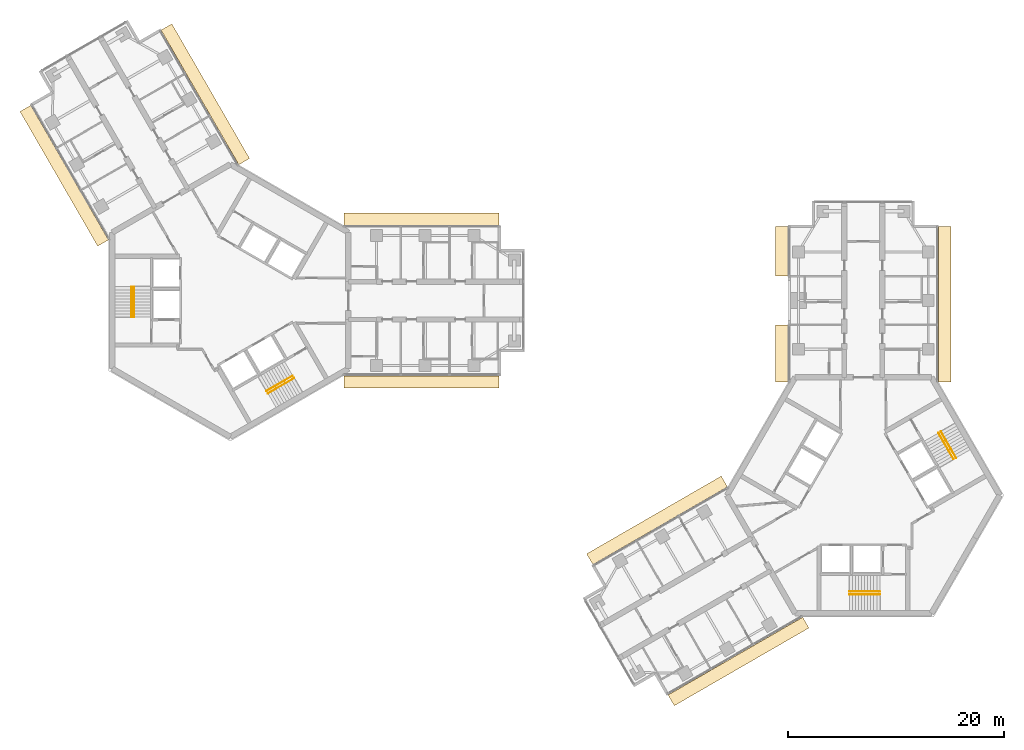
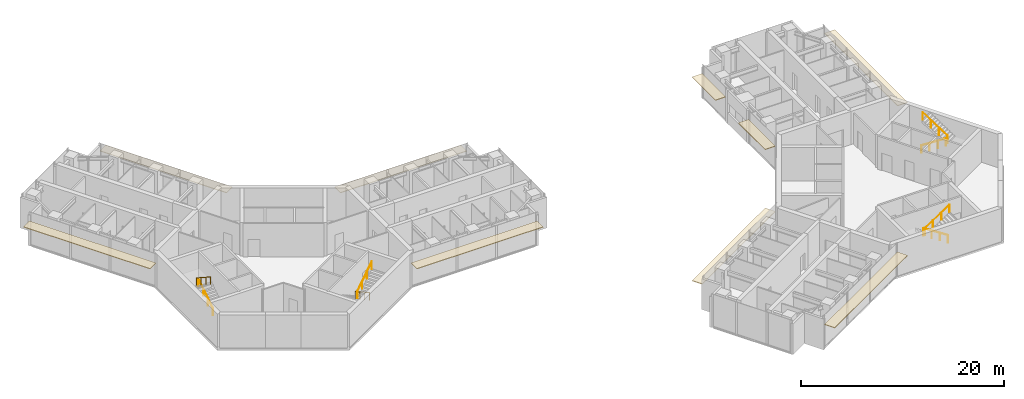
# One storey, part 17 of 17: 9 coverings, 8 railings.
"""IFC4 building model written with IfcOpenShell, lengths in metres."""

from ifc_helpers import new_model, si_unit, direction, frame, origin, origin_2d, place, context, subcontext, project, spatial, rectangle, circle, extrude, material, layer, layer_set, type_object, element, save


model = new_model("IFC4")

# Units and contexts
model_context = context("Model", 3, precision=1e-05, world=origin(), true_north=direction((0.0, 1.0)))
body_context = subcontext(model_context, "Body", "Model", "MODEL_VIEW")
ifc_project = project(units=[si_unit("LENGTHUNIT", "METRE"), si_unit("AREAUNIT", "SQUARE_METRE"), si_unit("VOLUMEUNIT", "CUBIC_METRE"), si_unit("PLANEANGLEUNIT", "RADIAN"), si_unit("MASSUNIT", "GRAM", prefix="KILO")], contexts=[model_context])

# Site, building, storey
site_placement = place(None, origin())
site = spatial("IfcSite", under=ifc_project, at=site_placement, CompositionType="ELEMENT")
building_placement = place(site_placement, origin())
building = spatial("IfcBuilding", under=site, at=building_placement, Name="Upepo Twin Towers", CompositionType="ELEMENT")
storey_placement = place(building_placement, frame((0.0, 0.0, 234.5)))
storey = spatial("IfcBuildingStorey", under=building, at=storey_placement, Name="L57", CompositionType="ELEMENT", Elevation=234.5)

# Coverings
ifc_material_1 = material(Name="Anodised aluminium, pale silver", Category="aluminium")
ifc_layer = layer(ifc_material_1, 0.080078125)
ifc_layer_set = layer_set([ifc_layer], Name="Brise-soleil blade 1150 pale aluminium")
covering_type = type_object("IfcCoveringType", Name="Brise-soleil blade 1150 pale aluminium", PredefinedType="USERDEFINED", material=ifc_layer_set)
for number, where, z_axis, x_axis, name in (
    (1, (17.66845703125, 7.527587890625, 2.909912109375), (0.0, 0.0, 1.0), (1.0, 0.0, 0.0), "T1 L57 wing A brise-soleil L"),
    (2, (17.66845703125, -7.527587890625, 2.909912109375), (0.0, 0.0, 1.0), (1.0, 0.0, 0.0), "T1 L57 wing A brise-soleil R"),
    (3, (-15.353271484375, 11.53759765625, 2.909912109375), (0.0, 0.0, 1.0), (-0.50000003023, 0.866025386331, 0.0), "T1 L57 wing B brise-soleil L"),
    (4, (-2.315185546875, 19.065185546875, 2.909912109375), (0.0, 0.0, 1.0), (-0.50000003023, 0.866025386331, 0.0), "T1 L57 wing B brise-soleil R"),
):
    element("IfcCovering", number, at=place(storey_placement, frame(where, z_axis=z_axis, x_axis=x_axis)), inside=storey, type_object=covering_type, Name=name, ObjectType="SUNSHADE", PredefinedType="USERDEFINED", context=body_context, shape_type="SweptSolid", body=[
        extrude(rectangle(XDim=14.36279296875, YDim=1.14990234375, at=origin_2d()), origin(), (0.0, 0.0, 1.0), 0.080078125),
    ])
covering_1_placement = place(storey_placement, frame((50.97509765625, -4.88134765625, 2.909912109375), z_axis=(0.0, 0.0, 1.0), x_axis=(0.0, 1.0, 0.0)))
element("IfcCovering", 5, at=covering_1_placement, inside=storey, type_object=covering_type, Name="T2 L57 wing A brise-soleil L", ObjectType="SUNSHADE", PredefinedType="USERDEFINED", context=body_context, shape_type="SweptSolid", body=[
    extrude(rectangle(XDim=5.262939453125, YDim=1.14990234375, at=origin_2d()), origin(), (0.0, 0.0, 1.0), 0.080078125),
])
covering_2_placement = place(storey_placement, frame((50.97509765625, 4.550048828125, 2.909912109375), z_axis=(0.0, 0.0, 1.0), x_axis=(0.0, 1.0, 0.0)))
element("IfcCovering", 6, at=covering_2_placement, inside=storey, type_object=covering_type, Name="T2 L57 wing A brise-soleil L 2", ObjectType="SUNSHADE", PredefinedType="USERDEFINED", context=body_context, shape_type="SweptSolid", body=[
    extrude(rectangle(XDim=4.60009765625, YDim=1.14990234375, at=origin_2d()), origin(), (0.0, 0.0, 1.0), 0.080078125),
])
for number, where, z_axis, x_axis, name in (
    (7, (66.027587890625, -0.33154296875, 2.909912109375), (0.0, 0.0, 1.0), (0.0, 1.0, 0.0), "T2 L57 wing A brise-soleil R"),
    (8, (46.96240234375, -33.353271484375, 2.909912109375), (0.0, 0.0, 1.0), (-0.866025386331, -0.50000003023, 0.0), "T2 L57 wing B brise-soleil L"),
    (9, (39.434814453125, -20.315185546875, 2.909912109375), (0.0, 0.0, 1.0), (-0.866025386331, -0.50000003023, 0.0), "T2 L57 wing B brise-soleil R"),
):
    element("IfcCovering", number, at=place(storey_placement, frame(where, z_axis=z_axis, x_axis=x_axis)), inside=storey, type_object=covering_type, Name=name, ObjectType="SUNSHADE", PredefinedType="USERDEFINED", context=body_context, shape_type="SweptSolid", body=[
        extrude(rectangle(XDim=14.36279296875, YDim=1.14990234375, at=origin_2d()), origin(), (0.0, 0.0, 1.0), 0.080078125),
    ])

# Railings
ifc_material_2 = material(Name="Stainless steel", Category="steel")
railing_type = type_object("IfcRailingType", Name="Stair handrail 900", PredefinedType="HANDRAIL", material=ifc_material_2)
railing_1_placement = place(storey_placement, frame((-8.89990234375, -1.52001953125, 0.181884765625)))
element("IfcRailing", 10, at=railing_1_placement, inside=storey, type_object=railing_type, Name="T1 stair S1 L57 handrail 1", PredefinedType="HANDRAIL", context=body_context, shape_type="SweptSolid", body=[
    extrude(circle(Radius=0.02392578125, at=origin_2d()), frame((0.0, 0.0, 0.8759765625), z_axis=(0.0, 0.838705829183, 0.544584733623), x_axis=(-1.0, 0.0, 0.0)), (0.0, 0.0, 1.0), 3.338623046875),
    extrude(circle(Radius=0.02099609375, at=origin_2d()), origin(), (0.0, 0.0, 1.0), 0.851806640625),
    extrude(circle(Radius=0.02099609375, at=origin_2d()), frame((0.0, 0.933349609375, 0.60595703125)), (0.0, 0.0, 1.0), 0.851806640625),
    extrude(circle(Radius=0.02099609375, at=origin_2d()), frame((0.0, 1.86669921875, 1.212158203125)), (0.0, 0.0, 1.0), 0.851806640625),
    extrude(circle(Radius=0.02099609375, at=origin_2d()), frame((0.0, 2.800048828125, 1.818115234375)), (0.0, 0.0, 1.0), 0.851806640625),
])
railing_2_placement = place(storey_placement, frame((-9.158447265625, 1.280029296875, 2.181884765625)))
element("IfcRailing", 11, at=railing_2_placement, inside=storey, type_object=railing_type, Name="T1 stair S1 L57 handrail 2", PredefinedType="HANDRAIL", context=body_context, shape_type="SweptSolid", body=[
    extrude(circle(Radius=0.02392578125, at=origin_2d()), frame((0.0, 0.0, 0.8759765625), z_axis=(0.0, -0.838705829183, 0.544584733623), x_axis=(1.0, 0.0, 0.0)), (0.0, 0.0, 1.0), 3.338623046875),
    extrude(circle(Radius=0.02099609375, at=origin_2d()), origin(), (0.0, 0.0, 1.0), 0.851806640625),
    extrude(circle(Radius=0.02099609375, at=origin_2d()), frame((0.0, -0.933349609375, 0.60595703125)), (0.0, 0.0, 1.0), 0.851806640625),
    extrude(circle(Radius=0.02099609375, at=origin_2d()), frame((0.0, -1.86669921875, 1.212158203125)), (0.0, 0.0, 1.0), 0.851806640625),
    extrude(circle(Radius=0.02099609375, at=origin_2d()), frame((0.0, -2.800048828125, 1.818115234375)), (0.0, 0.0, 1.0), 0.851806640625),
])
railing_3_placement = place(storey_placement, frame((5.766357421875, -6.947509765625, 0.181884765625)))
element("IfcRailing", 12, at=railing_3_placement, inside=storey, type_object=railing_type, Name="T1 stair S2 L57 handrail 1", PredefinedType="HANDRAIL", context=body_context, shape_type="SweptSolid", body=[
    extrude(circle(Radius=0.02392578125, at=origin_2d()), frame((0.0, 0.0, 0.8759765625), z_axis=(-0.726314030065, -0.419392968428, 0.544589265193), x_axis=(0.500049511043, -0.865996816683, 0.0)), (0.0, 0.0, 1.0), 3.338623046875),
    extrude(circle(Radius=0.02099609375, at=origin_2d()), origin(), (0.0, 0.0, 1.0), 0.851806640625),
    extrude(circle(Radius=0.02099609375, at=origin_2d()), frame((-0.808349609375, -0.466796875, 0.60595703125)), (0.0, 0.0, 1.0), 0.851806640625),
    extrude(circle(Radius=0.02099609375, at=origin_2d()), frame((-1.616455078125, -0.933349609375, 1.212158203125)), (0.0, 0.0, 1.0), 0.851806640625),
    extrude(circle(Radius=0.02099609375, at=origin_2d()), frame((-2.4248046875, -1.400146484375, 1.818115234375)), (0.0, 0.0, 1.0), 0.851806640625),
])
railing_4_placement = place(storey_placement, frame((3.470703125, -8.5712890625, 2.181884765625)))
element("IfcRailing", 13, at=railing_4_placement, inside=storey, type_object=railing_type, Name="T1 stair S2 L57 handrail 2", PredefinedType="HANDRAIL", context=body_context, shape_type="SweptSolid", body=[
    extrude(circle(Radius=0.02392578125, at=origin_2d()), frame((0.0, 0.0, 0.8759765625), z_axis=(0.726336304947, 0.419332699614, 0.544605966869), x_axis=(-0.49998411664, 0.866034573852, 0.0)), (0.0, 0.0, 1.0), 3.33837890625),
    extrude(circle(Radius=0.02099609375, at=origin_2d()), origin(), (0.0, 0.0, 1.0), 0.851806640625),
    extrude(circle(Radius=0.02099609375, at=origin_2d()), frame((0.808349609375, 0.466552734375, 0.60595703125)), (0.0, 0.0, 1.0), 0.851806640625),
    extrude(circle(Radius=0.02099609375, at=origin_2d()), frame((1.616455078125, 0.933349609375, 1.212158203125)), (0.0, 0.0, 1.0), 0.851806640625),
    extrude(circle(Radius=0.02099609375, at=origin_2d()), frame((2.4248046875, 1.39990234375, 1.818115234375)), (0.0, 0.0, 1.0), 0.851806640625),
])
railing_5_placement = place(storey_placement, frame((60.02001953125, -26.89990234375, 0.181884765625)))
element("IfcRailing", 14, at=railing_5_placement, inside=storey, type_object=railing_type, Name="T2 stair S1 L57 handrail 1", PredefinedType="HANDRAIL", context=body_context, shape_type="SweptSolid", body=[
    extrude(circle(Radius=0.02392578125, at=origin_2d()), frame((0.0, 0.0, 0.8759765625), z_axis=(-0.838705829183, 0.0, 0.544584733623), x_axis=(0.0, -1.0, 0.0)), (0.0, 0.0, 1.0), 3.338623046875),
    extrude(circle(Radius=0.02099609375, at=origin_2d()), origin(), (0.0, 0.0, 1.0), 0.851806640625),
    extrude(circle(Radius=0.02099609375, at=origin_2d()), frame((-0.933349609375, 0.0, 0.60595703125)), (0.0, 0.0, 1.0), 0.851806640625),
    extrude(circle(Radius=0.02099609375, at=origin_2d()), frame((-1.86669921875, 0.0, 1.212158203125)), (0.0, 0.0, 1.0), 0.851806640625),
    extrude(circle(Radius=0.02099609375, at=origin_2d()), frame((-2.800048828125, 0.0, 1.818115234375)), (0.0, 0.0, 1.0), 0.851806640625),
])
railing_6_placement = place(storey_placement, frame((57.219970703125, -27.158447265625, 2.181884765625)))
element("IfcRailing", 15, at=railing_6_placement, inside=storey, type_object=railing_type, Name="T2 stair S1 L57 handrail 2", PredefinedType="HANDRAIL", context=body_context, shape_type="SweptSolid", body=[
    extrude(circle(Radius=0.02392578125, at=origin_2d()), frame((0.0, 0.0, 0.8759765625), z_axis=(0.838705829183, 0.0, 0.544584733623), x_axis=(0.0, 1.0, 0.0)), (0.0, 0.0, 1.0), 3.338623046875),
    extrude(circle(Radius=0.02099609375, at=origin_2d()), origin(), (0.0, 0.0, 1.0), 0.851806640625),
    extrude(circle(Radius=0.02099609375, at=origin_2d()), frame((0.933349609375, 0.0, 0.60595703125)), (0.0, 0.0, 1.0), 0.851806640625),
    extrude(circle(Radius=0.02099609375, at=origin_2d()), frame((1.86669921875, 0.0, 1.212158203125)), (0.0, 0.0, 1.0), 0.851806640625),
    extrude(circle(Radius=0.02099609375, at=origin_2d()), frame((2.800048828125, 0.0, 1.818115234375)), (0.0, 0.0, 1.0), 0.851806640625),
])
railing_7_placement = place(storey_placement, frame((65.447509765625, -12.233642578125, 0.181884765625)))
element("IfcRailing", 16, at=railing_7_placement, inside=storey, type_object=railing_type, Name="T2 stair S2 L57 handrail 1", PredefinedType="HANDRAIL", context=body_context, shape_type="SweptSolid", body=[
    extrude(circle(Radius=0.02392578125, at=origin_2d()), frame((0.0, 0.0, 0.8759765625), z_axis=(0.419392968428, -0.726314030065, 0.544589265193), x_axis=(0.865996816683, 0.500049511043, 0.0)), (0.0, 0.0, 1.0), 3.338623046875),
    extrude(circle(Radius=0.02099609375, at=origin_2d()), origin(), (0.0, 0.0, 1.0), 0.851806640625),
    extrude(circle(Radius=0.02099609375, at=origin_2d()), frame((0.466796875, -0.808349609375, 0.60595703125)), (0.0, 0.0, 1.0), 0.851806640625),
    extrude(circle(Radius=0.02099609375, at=origin_2d()), frame((0.933349609375, -1.616455078125, 1.212158203125)), (0.0, 0.0, 1.0), 0.851806640625),
    extrude(circle(Radius=0.02099609375, at=origin_2d()), frame((1.400146484375, -2.4248046875, 1.818115234375)), (0.0, 0.0, 1.0), 0.851806640625),
])
railing_8_placement = place(storey_placement, frame((67.0712890625, -14.529296875, 2.181884765625)))
element("IfcRailing", 17, at=railing_8_placement, inside=storey, type_object=railing_type, Name="T2 stair S2 L57 handrail 2", PredefinedType="HANDRAIL", context=body_context, shape_type="SweptSolid", body=[
    extrude(circle(Radius=0.02392578125, at=origin_2d()), frame((0.0, 0.0, 0.8759765625), z_axis=(-0.419332699614, 0.726336304947, 0.544605966869), x_axis=(-0.866034573852, -0.49998411664, 0.0)), (0.0, 0.0, 1.0), 3.33837890625),
    extrude(circle(Radius=0.02099609375, at=origin_2d()), origin(), (0.0, 0.0, 1.0), 0.851806640625),
    extrude(circle(Radius=0.02099609375, at=origin_2d()), frame((-0.466552734375, 0.808349609375, 0.60595703125)), (0.0, 0.0, 1.0), 0.851806640625),
    extrude(circle(Radius=0.02099609375, at=origin_2d()), frame((-0.933349609375, 1.616455078125, 1.212158203125)), (0.0, 0.0, 1.0), 0.851806640625),
    extrude(circle(Radius=0.02099609375, at=origin_2d()), frame((-1.39990234375, 2.4248046875, 1.818115234375)), (0.0, 0.0, 1.0), 0.851806640625),
])

save(model, "model.ifc")
